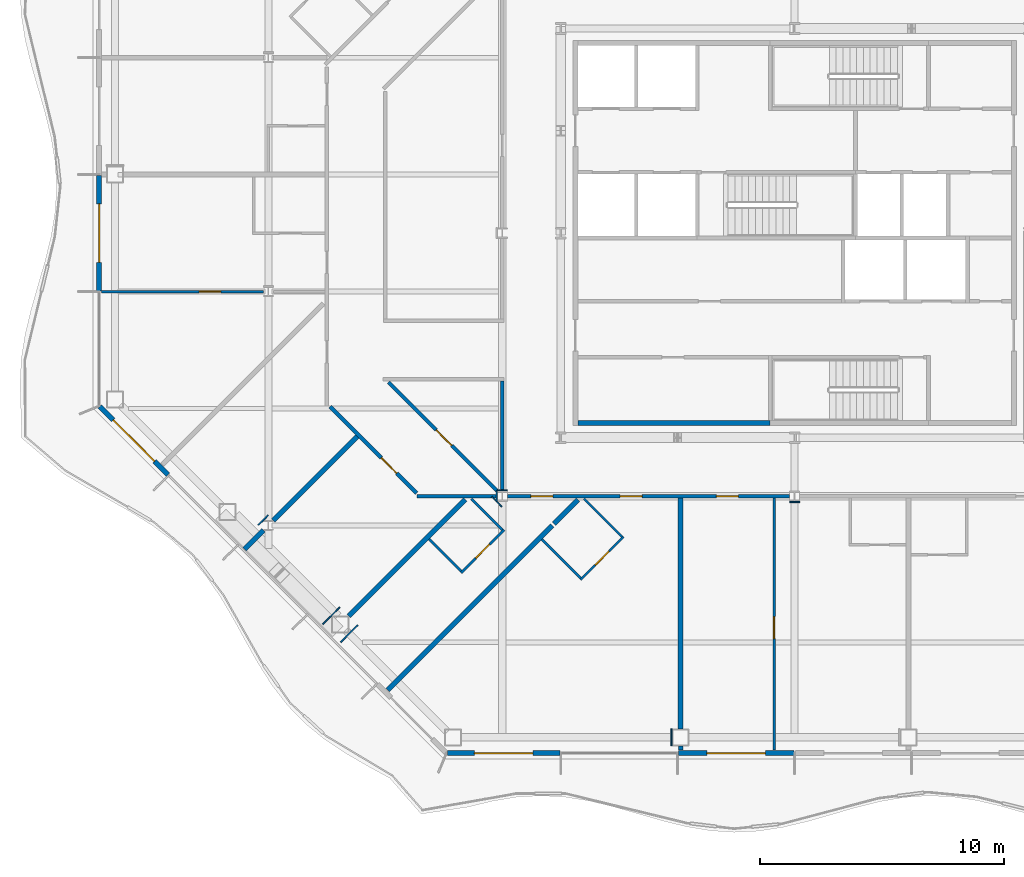
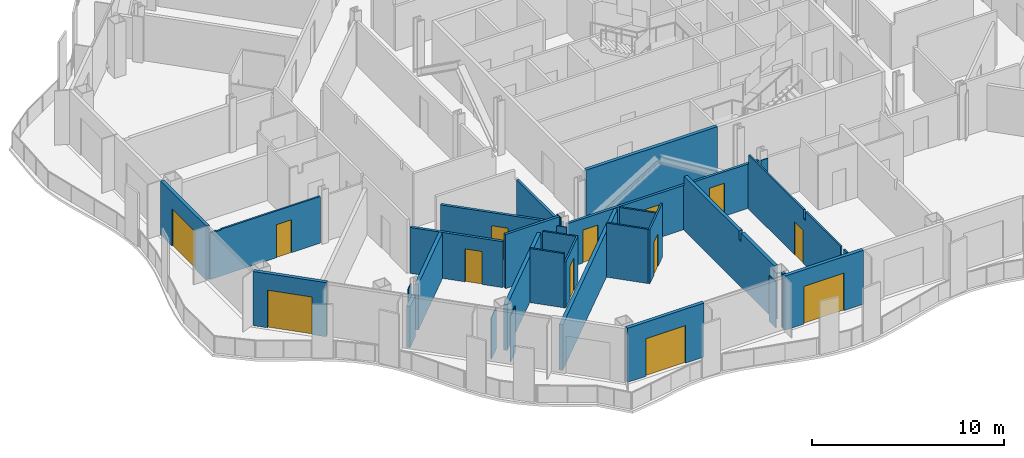
# One storey, part 7 of 22: 33 walls, 13 doors, 13 openings.
"""IFC4 building model written with IfcOpenShell, lengths in metres."""

from ifc_helpers import new_model, si_unit, direction, frame, frame_2d, origin, place, context, subcontext, project, spatial, polyline, rectangle, outline, extrude, material, layer, layer_set, type_object, element, fill, save


model = new_model("IFC4")

# Units and contexts
model_context = context("Model", 3, precision=1e-05, world=origin(), true_north=direction((0.0, 1.0)))
body_context = subcontext(model_context, "Body", "Model", "MODEL_VIEW")
ifc_project = project(units=[si_unit("LENGTHUNIT", "METRE"), si_unit("AREAUNIT", "SQUARE_METRE"), si_unit("VOLUMEUNIT", "CUBIC_METRE"), si_unit("PLANEANGLEUNIT", "RADIAN"), si_unit("MASSUNIT", "GRAM", prefix="KILO")], contexts=[model_context])

# Site, building, storey
site_placement = place(None, origin())
site = spatial("IfcSite", under=ifc_project, at=site_placement, CompositionType="ELEMENT")
building_placement = place(site_placement, origin())
building = spatial("IfcBuilding", under=site, at=building_placement, Name="Cairn Pilgrim Tower", CompositionType="ELEMENT")
storey_placement = place(building_placement, frame((0.0, 0.0, 147.0)))
storey = spatial("IfcBuildingStorey", under=building, at=storey_placement, Name="L36", CompositionType="ELEMENT", Elevation=147.0)

# Wall, opening, door
ifc_material_1 = material(Name="Bronze anodised aluminium insulated sandwich panel with mineral wool fill", Category="aluminium")
ifc_layer_1 = layer(ifc_material_1, 0.199951171875)
ifc_layer_set_1 = layer_set([ifc_layer_1], Name="BRONZE INFILL FRAME WALL 200")
wall_type_1 = type_object("IfcWallType", Name="BRONZE INFILL FRAME WALL 200", PredefinedType="NOTDEFINED", material=ifc_layer_set_1)
wall_1_placement = place(storey_placement, frame((-7.056396484375, -18.949951171875, 0.0), z_axis=(0.0, 0.0, 1.0), x_axis=(1.0, 0.0, 0.0)))
wall_1 = element("IfcWall", 1, at=wall_1_placement, inside=storey, type_object=wall_type_1, Name="Bronze infill frame wall IW-S1", PredefinedType="NOTDEFINED", context=body_context, shape_type="SweptSolid", body=[
    extrude(rectangle(XDim=4.62646484375, YDim=0.199951171875, at=frame_2d((2.313232421875, 0.0))), origin(), (0.0, 0.0, 1.0), 3.449951171875),
])
opening_1_placement = place(wall_1_placement, frame((1.1083984375, 0.0, 0.0)))
opening_1 = element("IfcOpeningElement", 2, at=opening_1_placement, cuts=wall_1, Name="Opening 3619B", PredefinedType="OPENING", context=body_context, shape_type="SweptSolid", body=[
    extrude(rectangle(XDim=2.39990234375, YDim=2.39990234375, at=frame_2d((1.199951171875, 1.199951171875))), frame((0.0, 0.10986328125, 0.0), z_axis=(0.0, -1.0, 0.0), x_axis=(1.0, 0.0, 0.0)), (0.0, 0.0, 1.0), 0.219970703125),
])
ifc_material_2 = material(Name="Bronze anodised aluminium frame with tinted low-E glass", Category="aluminium")
door_type_1 = type_object("IfcDoorType", Name="BALCONY SLIDING DOOR 2400x2400", OperationType="DOUBLE_DOOR_SLIDING", PredefinedType="DOOR", material=ifc_material_2)
door_1_placement = place(opening_1_placement, origin())
door_1 = element("IfcDoor", 3, at=door_1_placement, inside=storey, type_object=door_type_1, Name="Balcony sliding door 3619B", OperationType="SINGLE_SWING_LEFT", OverallHeight=2.39990234375, OverallWidth=2.39990234375, PredefinedType="DOOR", context=body_context, shape_type="SweptSolid", body=[
    extrude(rectangle(XDim=2.39990234375, YDim=2.39990234375, at=frame_2d((1.199951171875, 1.199951171875))), frame((0.0, 0.02490234375, 0.0), z_axis=(0.0, -1.0, 0.0), x_axis=(1.0, 0.0, 0.0)), (0.0, 0.0, 1.0), 0.050048828125),
])
fill(opening_1, door_1)

wall_2_placement = place(storey_placement, frame((2.429931640625, -18.949951171875, 0.0), z_axis=(0.0, 0.0, 1.0), x_axis=(1.0, 0.0, 0.0)))
wall_2 = element("IfcWall", 4, at=wall_2_placement, inside=storey, type_object=wall_type_1, Name="Bronze infill frame wall IW-S3", PredefinedType="NOTDEFINED", context=body_context, shape_type="SweptSolid", body=[
    extrude(rectangle(XDim=4.739990234375, YDim=0.199951171875, at=frame_2d((2.3701171875, 0.0))), origin(), (0.0, 0.0, 1.0), 3.449951171875),
])
opening_2_placement = place(wall_2_placement, frame((1.17041015625, 0.0, 0.0)))
opening_2 = element("IfcOpeningElement", 5, at=opening_2_placement, cuts=wall_2, Name="Opening 3620B", PredefinedType="OPENING", context=body_context, shape_type="SweptSolid", body=[
    extrude(rectangle(XDim=2.39990234375, YDim=2.39990234375, at=frame_2d((1.199951171875, 1.199951171875))), frame((0.0, 0.10986328125, 0.0), z_axis=(0.0, -1.0, 0.0), x_axis=(1.0, 0.0, 0.0)), (0.0, 0.0, 1.0), 0.219970703125),
])
door_2_placement = place(opening_2_placement, origin())
door_2 = element("IfcDoor", 6, at=door_2_placement, inside=storey, type_object=door_type_1, Name="Balcony sliding door 3620B", OperationType="SINGLE_SWING_LEFT", OverallHeight=2.39990234375, OverallWidth=2.39990234375, PredefinedType="DOOR", context=body_context, shape_type="SweptSolid", body=[
    extrude(rectangle(XDim=2.39990234375, YDim=2.39990234375, at=frame_2d((1.199951171875, 1.199951171875))), frame((0.0, 0.02490234375, 0.0), z_axis=(0.0, -1.0, 0.0), x_axis=(1.0, 0.0, 0.0)), (0.0, 0.0, 1.0), 0.050048828125),
])
fill(opening_2, door_2)

wall_3_placement = place(storey_placement, frame((-21.35009765625, 4.77001953125, 0.0), z_axis=(0.0, 0.0, 1.0), x_axis=(0.0, -1.0, 0.0)))
wall_3 = element("IfcWall", 7, at=wall_3_placement, inside=storey, type_object=wall_type_1, Name="Bronze infill frame wall IW-W3", PredefinedType="NOTDEFINED", context=body_context, shape_type="SweptSolid", body=[
    extrude(rectangle(XDim=4.739990234375, YDim=0.199951171875, at=frame_2d((2.3701171875, 0.0))), origin(), (0.0, 0.0, 1.0), 3.449951171875),
])
opening_3_placement = place(wall_3_placement, frame((1.169921875, 0.0, 0.0)))
opening_3 = element("IfcOpeningElement", 8, at=opening_3_placement, cuts=wall_3, Name="Opening 3615B", PredefinedType="OPENING", context=body_context, shape_type="SweptSolid", body=[
    extrude(rectangle(XDim=2.39990234375, YDim=2.39990234375, at=frame_2d((1.199951171875, 1.199951171875))), frame((0.0, 0.10986328125, 0.0), z_axis=(0.0, -1.0, 0.0), x_axis=(1.0, 0.0, 0.0)), (0.0, 0.0, 1.0), 0.219970703125),
])
door_3_placement = place(opening_3_placement, origin())
door_3 = element("IfcDoor", 9, at=door_3_placement, inside=storey, type_object=door_type_1, Name="Balcony sliding door 3615B", OperationType="SINGLE_SWING_LEFT", OverallHeight=2.39990234375, OverallWidth=2.39990234375, PredefinedType="DOOR", context=body_context, shape_type="SweptSolid", body=[
    extrude(rectangle(XDim=2.39990234375, YDim=2.39990234375, at=frame_2d((1.199951171875, 1.199951171875))), frame((0.0, 0.02490234375, 0.0), z_axis=(0.0, -1.0, 0.0), x_axis=(1.0, 0.0, 0.0)), (0.0, 0.0, 1.0), 0.050048828125),
])
fill(opening_3, door_3)

wall_4_placement = place(storey_placement, frame((-21.32177734375, -4.724609375, 0.0), z_axis=(0.0, 0.0, 1.0), x_axis=(0.707106781187, -0.707106781187, 0.0)))
wall_4 = element("IfcWall", 10, at=wall_4_placement, inside=storey, type_object=wall_type_1, Name="Bronze infill frame wall IW-SW1", PredefinedType="NOTDEFINED", context=body_context, shape_type="SweptSolid", body=[
    extrude(rectangle(XDim=3.961669921875, YDim=0.199951171875, at=frame_2d((1.98095703125, 0.0))), origin(), (0.0, 0.0, 1.0), 3.449951171875),
])
opening_4_placement = place(wall_4_placement, frame((0.775390625, 0.0, 0.0)))
opening_4 = element("IfcOpeningElement", 11, at=opening_4_placement, cuts=wall_4, Name="Opening 3622B", PredefinedType="OPENING", context=body_context, shape_type="SweptSolid", body=[
    extrude(rectangle(XDim=2.39990234375, YDim=2.39990234375, at=frame_2d((1.199951171875, 1.199951171875))), frame((0.0, 0.10986328125, 0.0), z_axis=(0.0, -1.0, 0.0), x_axis=(1.0, 0.0, 0.0)), (0.0, 0.0, 1.0), 0.219970703125),
])
door_4_placement = place(opening_4_placement, origin())
door_4 = element("IfcDoor", 12, at=door_4_placement, inside=storey, type_object=door_type_1, Name="Balcony sliding door 3622B", OperationType="SINGLE_SWING_LEFT", OverallHeight=2.39990234375, OverallWidth=2.39990234375, PredefinedType="DOOR", context=body_context, shape_type="SweptSolid", body=[
    extrude(rectangle(XDim=2.39990234375, YDim=2.39990234375, at=frame_2d((1.199951171875, 1.199951171875))), frame((0.0, 0.02490234375, 0.0), z_axis=(0.0, -1.0, 0.0), x_axis=(1.0, 0.0, 0.0)), (0.0, 0.0, 1.0), 0.050048828125),
])
fill(opening_4, door_4)

# Wall
ifc_material_3 = material(Name="Concrete C32/40", Category="concrete")
ifc_layer_2 = layer(ifc_material_3, 0.199951171875)
ifc_layer_set_2 = layer_set([ifc_layer_2], Name="CORE OUTER WALL 200 EI 120")
wall_type_2 = type_object("IfcWallType", Name="CORE OUTER WALL 200 EI 120", PredefinedType="SOLIDWALL", material=ifc_layer_set_2)
wall_5_placement = place(storey_placement, frame((-1.699951171875, -5.39990234375, 0.0), z_axis=(0.0, 0.0, 1.0), x_axis=(1.0, 0.0, 0.0)))
element("IfcWall", 13, at=wall_5_placement, inside=storey, type_object=wall_type_2, Name="CW:L36:H01-1", PredefinedType="SOLIDWALL", context=body_context, shape_type="SweptSolid", body=[
    extrude(rectangle(XDim=7.89990234375, YDim=0.199951171875, at=frame_2d((3.949951171875, 0.0))), origin(), (0.0, 0.0, 1.0), 3.449951171875),
])

# Wall, opening, door
ifc_material_4 = material(Name="Gypsum partition")
ifc_layer_3 = layer(ifc_material_4, 0.10009765625)
ifc_layer_set_3 = layer_set([ifc_layer_3], Name="PARTITION 100 DRYWALL")
wall_type_3 = type_object("IfcWallType", Name="PARTITION 100 DRYWALL", PredefinedType="PARTITIONING", material=ifc_layer_set_3)
wall_6_placement = place(storey_placement, frame((6.35791015625, -18.820068359375, 0.0), z_axis=(0.0, 0.0, 1.0), x_axis=(0.0, 1.0, 0.0)))
wall_6 = element("IfcWall", 14, at=wall_6_placement, inside=storey, type_object=wall_type_3, Name="PARTITION W002", PredefinedType="PARTITIONING", context=body_context, shape_type="SweptSolid", body=[
    extrude(outline(polyline([(0.0, 0.0), (10.344970703125, 0.0), (10.344970703125, 2.830078125), (10.27001953125, 2.830078125), (10.26806640625, 3.449951171875), (4.52490234375, 3.449951171875), (4.52294921875, 2.8798828125), (4.31494140625, 2.8798828125), (4.31298828125, 3.449951171875), (0.669921875, 3.449951171875), (0.66796875, 2.929931640625), (0.3701171875, 2.929931640625), (0.367919921875, 3.449951171875), (0.0, 3.449951171875), (0.0, 0.0)])), frame((0.0, 0.050048828125, 0.0), z_axis=(0.0, -1.0, 0.0), x_axis=(1.0, 0.0, 0.0)), (0.0, 0.0, 1.0), 0.10009765625),
])
opening_5_placement = place(wall_6_placement, frame((4.570068359375, 0.0, 0.0)))
opening_5 = element("IfcOpeningElement", 15, at=opening_5_placement, cuts=wall_6, Name="Opening 3620C", PredefinedType="OPENING", context=body_context, shape_type="SweptSolid", body=[
    extrude(rectangle(XDim=0.89990234375, YDim=2.10009765625, at=frame_2d((0.449951171875, 1.050048828125))), frame((0.0, 0.06005859375, 0.0), z_axis=(0.0, -1.0, 0.0), x_axis=(1.0, 0.0, 0.0)), (0.0, 0.0, 1.0), 0.1201171875),
])
ifc_material_5 = material(Name="Timber door leaf", Category="wood")
door_type_2 = type_object("IfcDoorType", Name="SERVICE DOOR 900x2100", OperationType="NOTDEFINED", PredefinedType="DOOR", material=ifc_material_5)
door_5_placement = place(opening_5_placement, origin())
door_5 = element("IfcDoor", 16, at=door_5_placement, inside=storey, type_object=door_type_2, Name="DOOR 3620C", OperationType="SINGLE_SWING_LEFT", OverallHeight=2.10009765625, OverallWidth=0.89990234375, PredefinedType="DOOR", context=body_context, shape_type="SweptSolid", body=[
    extrude(rectangle(XDim=0.89990234375, YDim=2.10009765625, at=frame_2d((0.449951171875, 1.050048828125))), frame((0.0, 0.02490234375, 0.0), z_axis=(0.0, -1.0, 0.0), x_axis=(1.0, 0.0, 0.0)), (0.0, 0.0, 1.0), 0.050048828125),
])
fill(opening_5, door_5)

# Wall
wall_7_placement = place(storey_placement, frame((-1.58740234375, -11.758544921875, 0.0), z_axis=(0.0, 0.0, 1.0), x_axis=(-0.706889644159, 0.707323851557, 0.0)))
element("IfcWall", 17, at=wall_7_placement, inside=storey, type_object=wall_type_3, Name="PARTITION W009", PredefinedType="PARTITIONING", context=body_context, shape_type="SweptSolid", body=[
    extrude(rectangle(XDim=2.2490234375, YDim=0.10009765625, at=frame_2d((1.12451171875, 0.0))), origin(), (0.0, 0.0, 1.0), 3.449951171875),
])

# Wall, opening, door
wall_8_placement = place(storey_placement, frame((-1.58740234375, -11.829345703125, 0.0), z_axis=(0.0, 0.0, 1.0), x_axis=(0.707350821469, 0.706862656651, 0.0)))
wall_8 = element("IfcWall", 18, at=wall_8_placement, inside=storey, type_object=wall_type_3, Name="PARTITION W010", PredefinedType="PARTITIONING", context=body_context, shape_type="SweptSolid", body=[
    extrude(rectangle(XDim=2.50048828125, YDim=0.10009765625, at=frame_2d((1.250244140625, 0.0))), origin(), (0.0, 0.0, 1.0), 3.449951171875),
])
opening_6_placement = place(wall_8_placement, frame((0.85009765625, 0.0, 0.0)))
opening_6 = element("IfcOpeningElement", 19, at=opening_6_placement, cuts=wall_8, Name="Opening 3619A", PredefinedType="OPENING", context=body_context, shape_type="SweptSolid", body=[
    extrude(rectangle(XDim=0.800048828125, YDim=2.10009765625, at=frame_2d((0.39990234375, 1.050048828125))), frame((0.0, 0.06005859375, 0.0), z_axis=(0.0, -1.0, 0.0), x_axis=(1.0, 0.0, 0.0)), (0.0, 0.0, 1.0), 0.1201171875),
])
door_type_3 = type_object("IfcDoorType", Name="WC DOOR 800x2100", OperationType="NOTDEFINED", PredefinedType="DOOR", material=ifc_material_5)
door_6_placement = place(opening_6_placement, frame((0.800048828125, 0.0, 0.0), z_axis=(0.0, 0.0, 1.0), x_axis=(-1.0, 0.0, 0.0)))
door_6 = element("IfcDoor", 20, at=door_6_placement, inside=storey, type_object=door_type_3, Name="DOOR 3619A", OperationType="SINGLE_SWING_RIGHT", OverallHeight=2.10009765625, OverallWidth=0.800048828125, PredefinedType="DOOR", context=body_context, shape_type="SweptSolid", body=[
    extrude(rectangle(XDim=0.800048828125, YDim=2.10009765625, at=frame_2d((0.39990234375, 1.050048828125))), frame((0.0, 0.02490234375, 0.0), z_axis=(0.0, -1.0, 0.0), x_axis=(1.0, 0.0, 0.0)), (0.0, 0.0, 1.0), 0.050048828125),
])
fill(opening_6, door_6)

# Wall
wall_9_placement = place(storey_placement, frame((-6.494384765625, -11.4755859375, 0.0), z_axis=(0.0, 0.0, 1.0), x_axis=(-0.707106781187, 0.707106781187, 0.0)))
element("IfcWall", 21, at=wall_9_placement, inside=storey, type_object=wall_type_3, Name="PARTITION W011", PredefinedType="PARTITIONING", context=body_context, shape_type="SweptSolid", body=[
    extrude(rectangle(XDim=1.849609375, YDim=0.10009765625, at=frame_2d((0.9248046875, 0.0))), origin(), (0.0, 0.0, 1.0), 3.449951171875),
])

# Wall, opening, door
wall_10_placement = place(storey_placement, frame((-6.494384765625, -11.54638671875, 0.0), z_axis=(0.0, 0.0, 1.0), x_axis=(0.707106781187, 0.707106781187, 0.0)))
wall_10 = element("IfcWall", 22, at=wall_10_placement, inside=storey, type_object=wall_type_3, Name="PARTITION W012", PredefinedType="PARTITIONING", context=body_context, shape_type="SweptSolid", body=[
    extrude(rectangle(XDim=2.499755859375, YDim=0.10009765625, at=frame_2d((1.25, 0.0))), origin(), (0.0, 0.0, 1.0), 2.929931640625),
])
opening_7_placement = place(wall_10_placement, frame((0.85009765625, 0.0, 0.0)))
opening_7 = element("IfcOpeningElement", 23, at=opening_7_placement, cuts=wall_10, Name="Opening 3618A", PredefinedType="OPENING", context=body_context, shape_type="SweptSolid", body=[
    extrude(rectangle(XDim=0.800048828125, YDim=2.10009765625, at=frame_2d((0.39990234375, 1.050048828125))), frame((0.0, 0.06005859375, 0.0), z_axis=(0.0, -1.0, 0.0), x_axis=(1.0, 0.0, 0.0)), (0.0, 0.0, 1.0), 0.1201171875),
])
door_7_placement = place(opening_7_placement, frame((0.800048828125, 0.0, 0.0), z_axis=(0.0, 0.0, 1.0), x_axis=(-1.0, 0.0, 0.0)))
door_7 = element("IfcDoor", 24, at=door_7_placement, inside=storey, type_object=door_type_3, Name="DOOR 3618A", OperationType="SINGLE_SWING_RIGHT", OverallHeight=2.10009765625, OverallWidth=0.800048828125, PredefinedType="DOOR", context=body_context, shape_type="SweptSolid", body=[
    extrude(rectangle(XDim=0.800048828125, YDim=2.10009765625, at=frame_2d((0.39990234375, 1.050048828125))), frame((0.0, 0.02490234375, 0.0), z_axis=(0.0, -1.0, 0.0), x_axis=(1.0, 0.0, 0.0)), (0.0, 0.0, 1.0), 0.050048828125),
])
fill(opening_7, door_7)

# Walls
wall_11_placement = place(storey_placement, frame((0.110595703125, -10.0615234375, 0.0), z_axis=(0.0, 0.0, 1.0), x_axis=(-0.70732924673, 0.706884245631, 0.0)))
element("IfcWall", 25, at=wall_11_placement, inside=storey, type_object=wall_type_3, Name="PARTITION W018", PredefinedType="PARTITIONING", context=body_context, shape_type="SweptSolid", body=[
    extrude(rectangle(XDim=2.194580078125, YDim=0.10009765625, at=frame_2d((1.09716796875, 0.0))), origin(), (0.0, 0.0, 1.0), 2.830078125),
])
wall_12_placement = place(storey_placement, frame((-4.79736328125, -9.778564453125, 0.0), z_axis=(0.0, 0.0, 1.0), x_axis=(-0.707174840937, 0.707038714885, 0.0)))
element("IfcWall", 26, at=wall_12_placement, inside=storey, type_object=wall_type_3, Name="PARTITION W019", PredefinedType="PARTITIONING", context=body_context, shape_type="SweptSolid", body=[
    extrude(rectangle(XDim=1.79345703125, YDim=0.10009765625, at=frame_2d((0.896728515625, 0.0))), origin(), (0.0, 0.0, 1.0), 2.929931640625),
])

# Wall, opening, door
wall_13_placement = place(storey_placement, frame((-21.25, 0.0, 0.0), z_axis=(0.0, 0.0, 1.0), x_axis=(1.0, 0.0, 0.0)))
wall_13 = element("IfcWall", 27, at=wall_13_placement, inside=storey, type_object=wall_type_3, Name="PARTITION W047", PredefinedType="PARTITIONING", context=body_context, shape_type="SweptSolid", body=[
    extrude(outline(polyline([(0.0, 0.0), (6.650390625, 0.0), (6.650390625, 2.97998046875), (0.699951171875, 2.97998046875), (0.697998046875, 2.929931640625), (0.39990234375, 2.929931640625), (0.39794921875, 2.97998046875), (0.0, 2.97998046875), (0.0, 0.0)])), frame((0.0, 0.050048828125, 0.0), z_axis=(0.0, -1.0, 0.0), x_axis=(1.0, 0.0, 0.0)), (0.0, 0.0, 1.0), 0.10009765625),
])
opening_8_placement = place(wall_13_placement, frame((4.0, 0.0, 0.0)))
opening_8 = element("IfcOpeningElement", 28, at=opening_8_placement, cuts=wall_13, Name="Opening 3622", PredefinedType="OPENING", context=body_context, shape_type="SweptSolid", body=[
    extrude(rectangle(XDim=0.89990234375, YDim=2.10009765625, at=frame_2d((0.449951171875, 1.050048828125))), frame((0.0, 0.06005859375, 0.0), z_axis=(0.0, -1.0, 0.0), x_axis=(1.0, 0.0, 0.0)), (0.0, 0.0, 1.0), 0.1201171875),
])
door_8_placement = place(opening_8_placement, origin())
door_8 = element("IfcDoor", 29, at=door_8_placement, inside=storey, type_object=door_type_2, Name="DOOR 3622", OperationType="SINGLE_SWING_RIGHT", OverallHeight=2.10009765625, OverallWidth=0.89990234375, PredefinedType="DOOR", context=body_context, shape_type="SweptSolid", body=[
    extrude(rectangle(XDim=0.89990234375, YDim=2.10009765625, at=frame_2d((0.449951171875, 1.050048828125))), frame((0.0, 0.02490234375, 0.0), z_axis=(0.0, -1.0, 0.0), x_axis=(1.0, 0.0, 0.0)), (0.0, 0.0, 1.0), 0.050048828125),
])
fill(opening_8, door_8)

# Wall
ifc_layer_4 = layer(ifc_material_4, 0.14990234375)
ifc_layer_set_4 = layer_set([ifc_layer_4], Name="PARTITION 150 DRYWALL EI 60")
wall_type_4 = type_object("IfcWallType", Name="PARTITION 150 DRYWALL EI 60", PredefinedType="PARTITIONING", material=ifc_layer_set_4)
wall_14_placement = place(storey_placement, frame((-8.300048828125, -8.39990234375, 0.0), z_axis=(0.0, 0.0, 1.0), x_axis=(1.0, 0.0, 0.0)))
element("IfcWall", 30, at=wall_14_placement, inside=storey, type_object=wall_type_4, Name="PARTITION W023", PredefinedType="PARTITIONING", context=body_context, shape_type="SweptSolid", body=[
    extrude(rectangle(XDim=3.295654296875, YDim=0.14990234375, at=frame_2d((1.64794921875, 0.0))), origin(), (0.0, 0.0, 1.0), 3.449951171875),
])

# Wall, openings, doors
wall_15_placement = place(storey_placement, frame((-4.595458984375, -8.39990234375, 0.0), z_axis=(0.0, 0.0, 1.0), x_axis=(1.0, 0.0, 0.0)))
wall_15 = element("IfcWall", 31, at=wall_15_placement, inside=storey, type_object=wall_type_4, Name="PARTITION W024", PredefinedType="PARTITIONING", context=body_context, shape_type="SweptSolid", body=[
    extrude(rectangle(XDim=11.591064453125, YDim=0.14990234375, at=frame_2d((5.79541015625, 0.0))), origin(), (0.0, 0.0, 1.0), 2.830078125),
])
opening_9_placement = place(wall_15_placement, frame((0.969482421875, 0.0, 0.0)))
opening_9 = element("IfcOpeningElement", 32, at=opening_9_placement, cuts=wall_15, Name="Opening 3618", PredefinedType="OPENING", context=body_context, shape_type="SweptSolid", body=[
    extrude(rectangle(XDim=0.89990234375, YDim=2.10009765625, at=frame_2d((0.449951171875, 1.050048828125))), frame((0.0, 0.0849609375, 0.0), z_axis=(0.0, -1.0, 0.0), x_axis=(1.0, 0.0, 0.0)), (0.0, 0.0, 1.0), 0.169921875),
])
opening_10_placement = place(wall_15_placement, frame((4.63134765625, 0.0, 0.0)))
opening_10 = element("IfcOpeningElement", 33, at=opening_10_placement, cuts=wall_15, Name="Opening 3619", PredefinedType="OPENING", context=body_context, shape_type="SweptSolid", body=[
    extrude(rectangle(XDim=0.89990234375, YDim=2.10009765625, at=frame_2d((0.449951171875, 1.050048828125))), frame((0.0, 0.0849609375, 0.0), z_axis=(0.0, -1.0, 0.0), x_axis=(1.0, 0.0, 0.0)), (0.0, 0.0, 1.0), 0.169921875),
])
opening_11_placement = place(wall_15_placement, frame((8.58642578125, 0.0, 0.0)))
opening_11 = element("IfcOpeningElement", 34, at=opening_11_placement, cuts=wall_15, Name="Opening 3620", PredefinedType="OPENING", context=body_context, shape_type="SweptSolid", body=[
    extrude(rectangle(XDim=0.89990234375, YDim=2.10009765625, at=frame_2d((0.449951171875, 1.050048828125))), frame((0.0, 0.0849609375, 0.0), z_axis=(0.0, -1.0, 0.0), x_axis=(1.0, 0.0, 0.0)), (0.0, 0.0, 1.0), 0.169921875),
])
door_type_4 = type_object("IfcDoorType", Name="ROOM DOOR 900x2100 FD30S", OperationType="NOTDEFINED", PredefinedType="DOOR", material=ifc_material_5)
door_9_placement = place(opening_9_placement, frame((0.89990234375, 0.0, 0.0), z_axis=(0.0, 0.0, 1.0), x_axis=(-1.0, 0.0, 0.0)))
door_9 = element("IfcDoor", 35, at=door_9_placement, inside=storey, type_object=door_type_4, Name="DOOR 3618", OperationType="SINGLE_SWING_RIGHT", OverallHeight=2.10009765625, OverallWidth=0.89990234375, PredefinedType="DOOR", context=body_context, shape_type="SweptSolid", body=[
    extrude(rectangle(XDim=0.89990234375, YDim=2.10009765625, at=frame_2d((0.449951171875, 1.050048828125))), frame((0.0, 0.02490234375, 0.0), z_axis=(0.0, -1.0, 0.0), x_axis=(1.0, 0.0, 0.0)), (0.0, 0.0, 1.0), 0.050048828125),
])
fill(opening_9, door_9)
door_10_placement = place(opening_10_placement, frame((0.89990234375, 0.0, 0.0), z_axis=(0.0, 0.0, 1.0), x_axis=(-1.0, 0.0, 0.0)))
door_10 = element("IfcDoor", 36, at=door_10_placement, inside=storey, type_object=door_type_4, Name="DOOR 3619", OperationType="SINGLE_SWING_RIGHT", OverallHeight=2.10009765625, OverallWidth=0.89990234375, PredefinedType="DOOR", context=body_context, shape_type="SweptSolid", body=[
    extrude(rectangle(XDim=0.89990234375, YDim=2.10009765625, at=frame_2d((0.449951171875, 1.050048828125))), frame((0.0, 0.02490234375, 0.0), z_axis=(0.0, -1.0, 0.0), x_axis=(1.0, 0.0, 0.0)), (0.0, 0.0, 1.0), 0.050048828125),
])
fill(opening_10, door_10)
door_11_placement = place(opening_11_placement, frame((0.89990234375, 0.0, 0.0), z_axis=(0.0, 0.0, 1.0), x_axis=(-1.0, 0.0, 0.0)))
door_11 = element("IfcDoor", 37, at=door_11_placement, inside=storey, type_object=door_type_4, Name="DOOR 3620", OperationType="SINGLE_SWING_LEFT", OverallHeight=2.10009765625, OverallWidth=0.89990234375, PredefinedType="DOOR", context=body_context, shape_type="SweptSolid", body=[
    extrude(rectangle(XDim=0.89990234375, YDim=2.10009765625, at=frame_2d((0.449951171875, 1.050048828125))), frame((0.0, 0.02490234375, 0.0), z_axis=(0.0, -1.0, 0.0), x_axis=(1.0, 0.0, 0.0)), (0.0, 0.0, 1.0), 0.050048828125),
])
fill(opening_11, door_11)

# Wall, opening, door
wall_16_placement = place(storey_placement, frame((-8.322021484375, -8.27197265625, 0.0), z_axis=(0.0, 0.0, 1.0), x_axis=(-0.707106781187, 0.707106781187, 0.0)))
wall_16 = element("IfcWall", 38, at=wall_16_placement, inside=storey, type_object=wall_type_4, Name="PARTITION W027", PredefinedType="PARTITIONING", context=body_context, shape_type="SweptSolid", body=[
    extrude(rectangle(XDim=5.0205078125, YDim=0.14990234375, at=frame_2d((2.51025390625, 0.0))), origin(), (0.0, 0.0, 1.0), 2.929931640625),
])
opening_12_placement = place(wall_16_placement, frame((1.138916015625, 0.0, 0.0)))
opening_12 = element("IfcOpeningElement", 39, at=opening_12_placement, cuts=wall_16, Name="Opening 3617", PredefinedType="OPENING", context=body_context, shape_type="SweptSolid", body=[
    extrude(rectangle(XDim=0.89990234375, YDim=2.10009765625, at=frame_2d((0.449951171875, 1.050048828125))), frame((0.0, 0.0849609375, 0.0), z_axis=(0.0, -1.0, 0.0), x_axis=(1.0, 0.0, 0.0)), (0.0, 0.0, 1.0), 0.169921875),
])
door_type_5 = type_object("IfcDoorType", Name="SERVICE DOOR 900x2100 FD30S", OperationType="NOTDEFINED", PredefinedType="DOOR", material=ifc_material_5)
door_12_placement = place(opening_12_placement, origin())
door_12 = element("IfcDoor", 40, at=door_12_placement, inside=storey, type_object=door_type_5, Name="DOOR 3617", OperationType="SINGLE_SWING_RIGHT", OverallHeight=2.10009765625, OverallWidth=0.89990234375, PredefinedType="DOOR", context=body_context, shape_type="SweptSolid", body=[
    extrude(rectangle(XDim=0.89990234375, YDim=2.10009765625, at=frame_2d((0.449951171875, 1.050048828125))), frame((0.0, 0.02490234375, 0.0), z_axis=(0.0, -1.0, 0.0), x_axis=(1.0, 0.0, 0.0)), (0.0, 0.0, 1.0), 0.050048828125),
])
fill(opening_12, door_12)

wall_17_placement = place(storey_placement, frame((-5.008544921875, -8.19140625, 0.0), z_axis=(0.0, 0.0, 1.0), x_axis=(-0.707106781187, 0.707106781187, 0.0)))
wall_17 = element("IfcWall", 41, at=wall_17_placement, inside=storey, type_object=wall_type_4, Name="PARTITION W029", PredefinedType="PARTITIONING", context=body_context, shape_type="SweptSolid", body=[
    extrude(rectangle(XDim=6.312255859375, YDim=0.14990234375, at=frame_2d((3.15625, 0.0))), origin(), (0.0, 0.0, 1.0), 2.929931640625),
])
opening_13_placement = place(wall_17_placement, frame((2.6494140625, 0.0, 0.0)))
opening_13 = element("IfcOpeningElement", 42, at=opening_13_placement, cuts=wall_17, Name="Opening 3629", PredefinedType="OPENING", context=body_context, shape_type="SweptSolid", body=[
    extrude(rectangle(XDim=0.89990234375, YDim=2.10009765625, at=frame_2d((0.449951171875, 1.050048828125))), frame((0.0, 0.0849609375, 0.0), z_axis=(0.0, -1.0, 0.0), x_axis=(1.0, 0.0, 0.0)), (0.0, 0.0, 1.0), 0.169921875),
])
door_13_placement = place(opening_13_placement, frame((0.89990234375, 0.0, 0.0), z_axis=(0.0, 0.0, 1.0), x_axis=(-1.0, 0.0, 0.0)))
door_13 = element("IfcDoor", 43, at=door_13_placement, inside=storey, type_object=door_type_5, Name="DOOR 3629", OperationType="SINGLE_SWING_LEFT", OverallHeight=2.10009765625, OverallWidth=0.89990234375, PredefinedType="DOOR", context=body_context, shape_type="SweptSolid", body=[
    extrude(rectangle(XDim=0.89990234375, YDim=2.10009765625, at=frame_2d((0.449951171875, 1.050048828125))), frame((0.0, 0.02490234375, 0.0), z_axis=(0.0, -1.0, 0.0), x_axis=(1.0, 0.0, 0.0)), (0.0, 0.0, 1.0), 0.050048828125),
])
fill(opening_13, door_13)

# Walls
wall_18_placement = place(storey_placement, frame((-4.800048828125, -8.1875, 0.0), z_axis=(0.0, 0.0, 1.0), x_axis=(0.0, 1.0, 0.0)))
element("IfcWall", 44, at=wall_18_placement, inside=storey, type_object=wall_type_4, Name="PARTITION W030", PredefinedType="PARTITIONING", context=body_context, shape_type="SweptSolid", body=[
    extrude(rectangle(XDim=4.512451171875, YDim=0.14990234375, at=frame_2d((2.25634765625, 0.0))), origin(), (0.0, 0.0, 1.0), 2.830078125),
])
ifc_layer_5 = layer(ifc_material_4, 0.050048828125)
ifc_layer_set_5 = layer_set([ifc_layer_5], Name="PARTITION 50 DRYWALL EI 60")
wall_type_5 = type_object("IfcWallType", Name="PARTITION 50 DRYWALL EI 60", PredefinedType="PARTITIONING", material=ifc_layer_set_5)
wall_19_placement = place(storey_placement, frame((2.1494140625, -18.64990234375, 0.0), z_axis=(0.0, 0.0, 1.0), x_axis=(0.0, 1.0, 0.0)))
element("IfcWall", 45, at=wall_19_placement, inside=storey, type_object=wall_type_5, Name="COLUMN CASING WC01", PredefinedType="PARTITIONING", context=body_context, shape_type="SweptSolid", body=[
    extrude(rectangle(XDim=0.699951171875, YDim=0.050048828125, at=frame_2d((0.35009765625, 0.0))), origin(), (0.0, 0.0, 1.0), 2.929931640625),
])
wall_20_placement = place(storey_placement, frame((-12.169189453125, -13.657958984375, 0.0), z_axis=(0.0, 0.0, 1.0), x_axis=(0.707106781187, 0.707106781187, 0.0)))
element("IfcWall", 46, at=wall_20_placement, inside=storey, type_object=wall_type_5, Name="COLUMN CASING WC03", PredefinedType="PARTITIONING", context=body_context, shape_type="SweptSolid", body=[
    extrude(rectangle(XDim=0.989990234375, YDim=0.050048828125, at=frame_2d((0.4951171875, 0.0))), origin(), (0.0, 0.0, 1.0), 2.6298828125),
])
wall_21_placement = place(storey_placement, frame((-11.433837890625, -14.393310546875, 0.0), z_axis=(0.0, 0.0, 1.0), x_axis=(0.707106781187, 0.707106781187, 0.0)))
element("IfcWall", 47, at=wall_21_placement, inside=storey, type_object=wall_type_5, Name="COLUMN CASING WC04", PredefinedType="PARTITIONING", context=body_context, shape_type="SweptSolid", body=[
    extrude(rectangle(XDim=0.989990234375, YDim=0.050048828125, at=frame_2d((0.4951171875, 0.0))), origin(), (0.0, 0.0, 1.0), 2.929931640625),
])
wall_22_placement = place(storey_placement, frame((-14.813720703125, -9.582275390625, 0.0), z_axis=(0.0, 0.0, 1.0), x_axis=(0.707106781187, 0.707106781187, 0.0)))
element("IfcWall", 48, at=wall_22_placement, inside=storey, type_object=wall_type_5, Name="COLUMN CASING WC07", PredefinedType="PARTITIONING", context=body_context, shape_type="SweptSolid", body=[
    extrude(rectangle(XDim=0.56005859375, YDim=0.050048828125, at=frame_2d((0.280029296875, 0.0))), origin(), (0.0, 0.0, 1.0), 2.929931640625),
])
wall_23_placement = place(storey_placement, frame((-5.00439453125, -8.16259765625, 0.0), z_axis=(0.0, 0.0, 1.0), x_axis=(1.0, 0.0, 0.0)))
element("IfcWall", 49, at=wall_23_placement, inside=storey, type_object=wall_type_5, Name="COLUMN CASING WC10", PredefinedType="PARTITIONING", context=body_context, shape_type="SweptSolid", body=[
    extrude(rectangle(XDim=0.408935546875, YDim=0.050048828125, at=frame_2d((0.20458984375, 0.0))), origin(), (0.0, 0.0, 1.0), 2.830078125),
])
wall_24_placement = place(storey_placement, frame((6.99560546875, -8.637451171875, 0.0), z_axis=(0.0, 0.0, 1.0), x_axis=(1.0, 0.0, 0.0)))
element("IfcWall", 50, at=wall_24_placement, inside=storey, type_object=wall_type_5, Name="COLUMN CASING WC11", PredefinedType="PARTITIONING", context=body_context, shape_type="SweptSolid", body=[
    extrude(rectangle(XDim=0.408935546875, YDim=0.050048828125, at=frame_2d((0.20458984375, 0.0))), origin(), (0.0, 0.0, 1.0), 2.929931640625),
])
wall_25_placement = place(storey_placement, frame((-4.817626953125, -8.834716796875, 0.0), z_axis=(0.0, 0.0, 1.0), x_axis=(-0.707106781187, 0.707106781187, 0.0)))
element("IfcWall", 51, at=wall_25_placement, inside=storey, type_object=wall_type_5, Name="COLUMN CASING WC13", PredefinedType="PARTITIONING", context=body_context, shape_type="SweptSolid", body=[
    extrude(rectangle(XDim=0.589599609375, YDim=0.050048828125, at=frame_2d((0.294921875, 0.0))), origin(), (0.0, 0.0, 1.0), 2.929931640625),
])
wall_26_placement = place(storey_placement, frame((-5.029541015625, -8.612548828125, 0.0), z_axis=(0.0, 0.0, 1.0), x_axis=(0.0, 1.0, 0.0)))
element("IfcWall", 52, at=wall_26_placement, inside=storey, type_object=wall_type_5, Name="COLUMN CASING WC14", PredefinedType="PARTITIONING", context=body_context, shape_type="SweptSolid", body=[
    extrude(rectangle(XDim=0.425048828125, YDim=0.050048828125, at=frame_2d((0.21240234375, 0.0))), origin(), (0.0, 0.0, 1.0), 3.449951171875),
])
ifc_layer_6 = layer(ifc_material_4, 0.199951171875)
ifc_layer_set_6 = layer_set([ifc_layer_6], Name="SHAFT WALL 200 GYPSUM EI 60")
wall_type_6 = type_object("IfcWallType", Name="SHAFT WALL 200 GYPSUM EI 60", PredefinedType="PARTITIONING", material=ifc_layer_set_6)
wall_27_placement = place(storey_placement, frame((2.52392578125, -18.820068359375, 0.0), z_axis=(0.0, 0.0, 1.0), x_axis=(0.0, 1.0, 0.0)))
element("IfcWall", 53, at=wall_27_placement, inside=storey, type_object=wall_type_6, Name="PARTITION W001", PredefinedType="PARTITIONING", context=body_context, shape_type="SweptSolid", body=[
    extrude(rectangle(XDim=0.170166015625, YDim=0.199951171875, at=frame_2d((0.0849609375, 0.0))), origin(), (0.0, 0.0, 1.0), 3.449951171875),
])
wall_28_placement = place(storey_placement, frame((2.52392578125, -17.949951171875, 0.0), z_axis=(0.0, 0.0, 1.0), x_axis=(0.0, 1.0, 0.0)))
element("IfcWall", 54, at=wall_28_placement, inside=storey, type_object=wall_type_6, Name="PARTITION W004", PredefinedType="PARTITIONING", context=body_context, shape_type="SweptSolid", body=[
    extrude(outline(polyline([(0.0, 0.0), (9.474853515625, 0.0), (9.47509765625, 2.830078125), (9.39990234375, 2.830078125), (9.39794921875, 3.449951171875), (3.655029296875, 3.449951171875), (3.653076171875, 2.8798828125), (3.445068359375, 2.8798828125), (3.443115234375, 3.449951171875), (0.0, 3.449951171875), (0.0, 0.0)])), frame((0.0, 0.10009765625, 0.0), z_axis=(0.0, -1.0, 0.0), x_axis=(1.0, 0.0, 0.0)), (0.0, 0.0, 1.0), 0.199951171875),
])
wall_29_placement = place(storey_placement, frame((-9.50732421875, -16.355224609375, 0.0), z_axis=(0.0, 0.0, 1.0), x_axis=(0.707170680804, 0.707042875794, 0.0)))
element("IfcWall", 55, at=wall_29_placement, inside=storey, type_object=wall_type_6, Name="PARTITION W006", PredefinedType="PARTITIONING", context=body_context, shape_type="SweptSolid", body=[
    extrude(rectangle(XDim=9.55126953125, YDim=0.199951171875, at=frame_2d((4.775634765625, 0.0))), origin(), (0.0, 0.0, 1.0), 2.929931640625),
])
wall_30_placement = place(storey_placement, frame((-11.1015625, -13.32568359375, 0.0), z_axis=(0.0, 0.0, 1.0), x_axis=(0.707088722709, 0.707124839203, 0.0)))
element("IfcWall", 56, at=wall_30_placement, inside=storey, type_object=wall_type_6, Name="PARTITION W007", PredefinedType="PARTITIONING", context=body_context, shape_type="SweptSolid", body=[
    extrude(rectangle(XDim=6.759765625, YDim=0.199951171875, at=frame_2d((3.3798828125, 0.0))), origin(), (0.0, 0.0, 1.0), 2.929931640625),
])
wall_31_placement = place(storey_placement, frame((-15.380859375, -10.580810546875, 0.0), z_axis=(0.0, 0.0, 1.0), x_axis=(0.707217034054, 0.706996511125, 0.0)))
element("IfcWall", 57, at=wall_31_placement, inside=storey, type_object=wall_type_6, Name="PARTITION W015", PredefinedType="PARTITIONING", context=body_context, shape_type="SweptSolid", body=[
    extrude(rectangle(XDim=1.107177734375, YDim=0.199951171875, at=frame_2d((0.5537109375, 0.0))), origin(), (0.0, 0.0, 1.0), 2.6298828125),
])
wall_32_placement = place(storey_placement, frame((-2.6826171875, -9.531005859375, 0.0), z_axis=(0.0, 0.0, 1.0), x_axis=(0.707019164958, 0.70719438656, 0.0)))
element("IfcWall", 58, at=wall_32_placement, inside=storey, type_object=wall_type_6, Name="PARTITION W020", PredefinedType="PARTITIONING", context=body_context, shape_type="SweptSolid", body=[
    extrude(rectangle(XDim=1.393310546875, YDim=0.199951171875, at=frame_2d((0.69677734375, 0.0))), origin(), (0.0, 0.0, 1.0), 2.830078125),
])
wall_33_placement = place(storey_placement, frame((-14.201904296875, -9.402099609375, 0.0), z_axis=(0.0, 0.0, 1.0), x_axis=(0.707081776084, 0.707131785404, 0.0)))
element("IfcWall", 59, at=wall_33_placement, inside=storey, type_object=wall_type_6, Name="PARTITION W021", PredefinedType="PARTITIONING", context=body_context, shape_type="SweptSolid", body=[
    extrude(rectangle(XDim=4.8818359375, YDim=0.199951171875, at=frame_2d((2.44091796875, 0.0))), origin(), (0.0, 0.0, 1.0), 2.929931640625),
])

save(model, "model.ifc")
